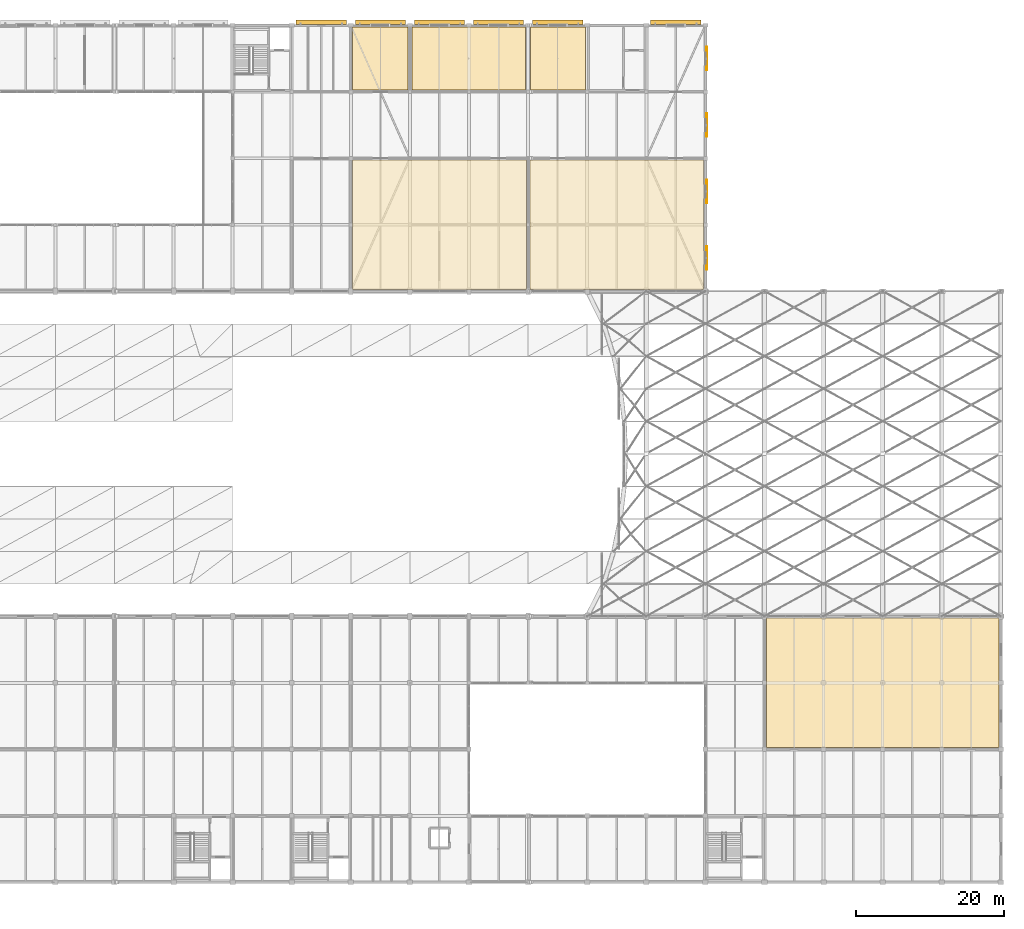
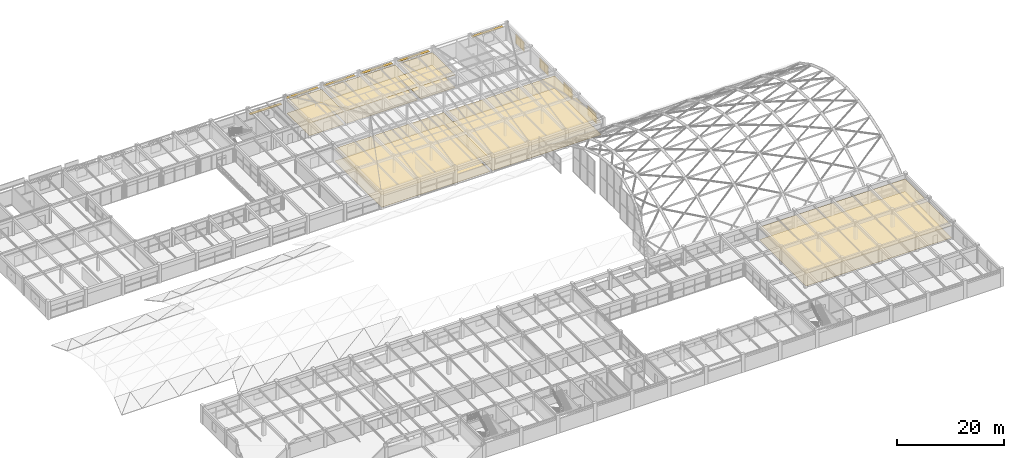
# One storey, part 125 of 126: 12 coverings, 10 shading devices.
"""IFC4 building model written with IfcOpenShell, lengths in metres."""

from ifc_helpers import new_model, si_unit, direction, frame, origin, origin_2d, place, context, subcontext, project, spatial, polyline, rectangle, outline, extrude, material, layer, layer_set, type_object, element, save


model = new_model("IFC4")

# Units and contexts
model_context = context("Model", 3, precision=1e-05, world=origin(), true_north=direction((0.0, 1.0)))
body_context = subcontext(model_context, "Body", "Model", "MODEL_VIEW")
ifc_project = project(units=[si_unit("LENGTHUNIT", "METRE"), si_unit("AREAUNIT", "SQUARE_METRE"), si_unit("VOLUMEUNIT", "CUBIC_METRE"), si_unit("PLANEANGLEUNIT", "RADIAN"), si_unit("MASSUNIT", "GRAM", prefix="KILO")], contexts=[model_context])

# Site, building, storey
site_placement = place(None, origin())
site = spatial("IfcSite", under=ifc_project, at=site_placement, CompositionType="ELEMENT")
building_placement = place(site_placement, origin())
building = spatial("IfcBuilding", under=site, at=building_placement, Name="Varnabhumi Central Station", CompositionType="ELEMENT")
storey_placement = place(building_placement, frame((0.0, 0.0, 16.199951171875)))
storey = spatial("IfcBuildingStorey", under=building, at=storey_placement, Name="L03", CompositionType="ELEMENT", Elevation=16.199951171875)

# Coverings
ifc_material_1 = material(Name="Mineral-fibre acoustic tile")
ifc_layer_1 = layer(ifc_material_1, 0.02490234375, Name="Mineral-fibre acoustic tile")
ifc_layer_set_1 = layer_set([ifc_layer_1], Name="Mineral-fibre acoustic tile")
covering_type_1 = type_object("IfcCoveringType", Name="COV-CEIL-ACOUSTIC", PredefinedType="CEILING", material=ifc_layer_set_1)
covering_1_placement = place(storey_placement, frame((0.0, 0.0, 2.8701171875)))
element("IfcCovering", 1, at=covering_1_placement, inside=storey, type_object=covering_type_1, Name="Travellers' Reading Room and Study Acoustic Ceiling", PredefinedType="CEILING", context=body_context, shape_type="SweptSolid", body=[
    extrude(outline(polyline([(96.25, 80.25), (119.75, 80.25), (119.75, 97.75), (96.25, 97.75), (96.25, 80.25)])), origin(), (0.0, 0.0, 1.0), 0.02490234375),
])
covering_2_placement = place(storey_placement, frame((0.0, 0.0, 2.8701171875)))
element("IfcCovering", 2, at=covering_2_placement, inside=storey, type_object=covering_type_1, Name="Dining Gallery Preparation Pantry Acoustic Ceiling", PredefinedType="CEILING", context=body_context, shape_type="SweptSolid", body=[
    extrude(outline(polyline([(96.25, 107.25), (103.75, 107.25), (103.75, 115.75), (96.25, 115.75), (96.25, 107.25)])), origin(), (0.0, 0.0, 1.0), 0.02490234375),
])
covering_3_placement = place(storey_placement, frame((0.0, 0.0, 2.8701171875)))
element("IfcCovering", 3, at=covering_3_placement, inside=storey, type_object=covering_type_1, Name="Station Commercial Administration Office Acoustic Ceiling", PredefinedType="CEILING", context=body_context, shape_type="SweptSolid", body=[
    extrude(outline(polyline([(104.25, 107.25), (119.64990234375, 107.25), (119.64990234375, 115.75), (104.25, 115.75), (104.25, 107.25)])), origin(), (0.0, 0.0, 1.0), 0.02490234375),
])
covering_4_placement = place(storey_placement, frame((0.0, 0.0, 2.8701171875)))
element("IfcCovering", 4, at=covering_4_placement, inside=storey, type_object=covering_type_1, Name="Station Commercial Administration Office Acoustic Ceiling", PredefinedType="CEILING", context=body_context, shape_type="SweptSolid", body=[
    extrude(outline(polyline([(120.35009765625, 107.25), (127.75, 107.25), (127.75, 115.75), (120.35009765625, 115.75), (120.35009765625, 107.25)])), origin(), (0.0, 0.0, 1.0), 0.02490234375),
])
covering_5_placement = place(storey_placement, frame((0.0, 0.0, 2.8701171875)))
element("IfcCovering", 5, at=covering_5_placement, inside=storey, type_object=covering_type_1, Name="East Terrace Tea Lounge Acoustic Ceiling", PredefinedType="CEILING", context=body_context, shape_type="SweptSolid", body=[
    extrude(outline(polyline([(120.25, 80.25), (143.75, 80.25), (143.75, 97.75), (120.25, 97.75), (120.25, 80.25)])), origin(), (0.0, 0.0, 1.0), 0.02490234375),
])
covering_6_placement = place(storey_placement, frame((0.0, 0.0, 2.8701171875)))
element("IfcCovering", 6, at=covering_6_placement, inside=storey, type_object=covering_type_1, Name="Traction Power Supervisory Control Room Acoustic Ceiling", PredefinedType="CEILING", context=body_context, shape_type="SweptSolid", body=[
    extrude(outline(polyline([(152.25, 18.25), (183.75, 18.25), (183.75, 35.75), (152.25, 35.75), (152.25, 18.25)])), origin(), (0.0, 0.0, 1.0), 0.02490234375),
])
ifc_material_2 = material(Name="Vitrified granite stone flooring", Category="masonry")
ifc_layer_2 = layer(ifc_material_2, 0.030029296875, Name="Vitrified granite stone flooring", Category="masonry")
ifc_layer_set_2 = layer_set([ifc_layer_2], Name="Vitrified granite stone flooring")
covering_type_2 = type_object("IfcCoveringType", Name="COV-FLOR-GRANITE", PredefinedType="FLOORING", material=ifc_layer_set_2)
covering_7_placement = place(storey_placement, origin())
element("IfcCovering", 7, at=covering_7_placement, inside=storey, type_object=covering_type_2, Name="Travellers' Reading Room and Study Granite Flooring", PredefinedType="FLOORING", context=body_context, shape_type="SweptSolid", body=[
    extrude(outline(polyline([(96.25, 80.25), (119.75, 80.25), (119.75, 97.75), (96.25, 97.75), (96.25, 80.25)])), origin(), (0.0, 0.0, 1.0), 0.030029296875),
])
covering_8_placement = place(storey_placement, origin())
element("IfcCovering", 8, at=covering_8_placement, inside=storey, type_object=covering_type_2, Name="Dining Gallery Preparation Pantry Granite Flooring", PredefinedType="FLOORING", context=body_context, shape_type="SweptSolid", body=[
    extrude(outline(polyline([(96.25, 107.25), (103.75, 107.25), (103.75, 115.75), (96.25, 115.75), (96.25, 107.25)])), origin(), (0.0, 0.0, 1.0), 0.030029296875),
])
covering_9_placement = place(storey_placement, origin())
element("IfcCovering", 9, at=covering_9_placement, inside=storey, type_object=covering_type_2, Name="Station Commercial Administration Office Granite Flooring", PredefinedType="FLOORING", context=body_context, shape_type="SweptSolid", body=[
    extrude(outline(polyline([(104.25, 107.25), (119.64990234375, 107.25), (119.64990234375, 115.75), (104.25, 115.75), (104.25, 107.25)])), origin(), (0.0, 0.0, 1.0), 0.030029296875),
])
covering_10_placement = place(storey_placement, origin())
element("IfcCovering", 10, at=covering_10_placement, inside=storey, type_object=covering_type_2, Name="Station Commercial Administration Office Granite Flooring", PredefinedType="FLOORING", context=body_context, shape_type="SweptSolid", body=[
    extrude(outline(polyline([(120.35009765625, 107.25), (127.75, 107.25), (127.75, 115.75), (120.35009765625, 115.75), (120.35009765625, 107.25)])), origin(), (0.0, 0.0, 1.0), 0.030029296875),
])
covering_11_placement = place(storey_placement, origin())
element("IfcCovering", 11, at=covering_11_placement, inside=storey, type_object=covering_type_2, Name="East Terrace Tea Lounge Granite Flooring", PredefinedType="FLOORING", context=body_context, shape_type="SweptSolid", body=[
    extrude(outline(polyline([(120.25, 80.25), (143.75, 80.25), (143.75, 97.75), (120.25, 97.75), (120.25, 80.25)])), origin(), (0.0, 0.0, 1.0), 0.030029296875),
])
covering_12_placement = place(storey_placement, origin())
element("IfcCovering", 12, at=covering_12_placement, inside=storey, type_object=covering_type_2, Name="Traction Power Supervisory Control Room Granite Flooring", PredefinedType="FLOORING", context=body_context, shape_type="SweptSolid", body=[
    extrude(outline(polyline([(152.25, 18.25), (183.75, 18.25), (183.75, 35.75), (152.25, 35.75), (152.25, 18.25)])), origin(), (0.0, 0.0, 1.0), 0.030029296875),
])

# Shading devices
ifc_material_3 = material(Name="Terracotta clay Mission barrel tile", Category="masonry")
ifc_layer_3 = layer(ifc_material_3, 0.080078125, Name="Terracotta clay Mission barrel tile", Category="masonry")
ifc_layer_set_3 = layer_set([ifc_layer_3], Name="Terracotta clay Mission barrel tile")
shading_device_type_1 = type_object("IfcShadingDeviceType", Name="SHD-CELOSIA-JALI", PredefinedType="JALOUSIE", material=ifc_layer_set_3)
for number, where, z_axis, x_axis, name in (
    (13, (144.18994140625, 84.5, 0.85009765625), (0.0, 0.0, 1.0), (1.0, 0.0, 0.0), "Terracotta Celosia Screen N-L03-W1"),
    (14, (144.18994140625, 93.5, 0.85009765625), (0.0, 0.0, 1.0), (1.0, 0.0, 0.0), "Terracotta Celosia Screen N-L03-W2"),
    (15, (144.18994140625, 102.5, 0.85009765625), (0.0, 0.0, 1.0), (1.0, 0.0, 0.0), "Terracotta Celosia Screen N-L03-W3"),
    (16, (144.18994140625, 111.5, 0.85009765625), (0.0, 0.0, 1.0), (1.0, 0.0, 0.0), "Terracotta Celosia Screen N-L03-W4"),
):
    element("IfcShadingDevice", number, at=place(storey_placement, frame(where, z_axis=z_axis, x_axis=x_axis)), inside=storey, type_object=shading_device_type_1, Name=name, PredefinedType="JALOUSIE", context=body_context, shape_type="SweptSolid", body=[
        extrude(rectangle(XDim=0.080078125, YDim=3.199951171875, at=origin_2d()), origin(), (0.0, 0.0, 1.0), 2.199951171875),
    ])
ifc_material_4 = material(Name="Precast concrete M45", Category="concrete")
ifc_layer_4 = layer(ifc_material_4, 0.10009765625, Name="Precast concrete M45", Category="concrete")
ifc_layer_set_4 = layer_set([ifc_layer_4], Name="Precast concrete M45")
shading_device_type_2 = type_object("IfcShadingDeviceType", Name="SHD-CHAJJA-600", PredefinedType="AWNING", material=ifc_layer_set_4)
for number, where, z_axis, x_axis, name in (
    (17, (92.0, 116.429931640625, 2.030029296875), (0.0, 0.0, 1.0), (1.0, 0.0, 0.0), "Chajja Overhang N-L03-9"),
    (18, (100.0, 116.429931640625, 2.919921875), (0.0, 0.0, 1.0), (1.0, 0.0, 0.0), "Chajja Overhang N-L03-10"),
    (19, (108.0, 116.429931640625, 2.919921875), (0.0, 0.0, 1.0), (1.0, 0.0, 0.0), "Chajja Overhang N-L03-11"),
    (20, (116.0, 116.429931640625, 2.919921875), (0.0, 0.0, 1.0), (1.0, 0.0, 0.0), "Chajja Overhang N-L03-12"),
    (21, (124.0, 116.429931640625, 2.919921875), (0.0, 0.0, 1.0), (1.0, 0.0, 0.0), "Chajja Overhang N-L03-13"),
    (22, (140.0, 116.429931640625, 2.919921875), (0.0, 0.0, 1.0), (1.0, 0.0, 0.0), "Chajja Overhang N-L03-15"),
):
    element("IfcShadingDevice", number, at=place(storey_placement, frame(where, z_axis=z_axis, x_axis=x_axis)), inside=storey, type_object=shading_device_type_2, Name=name, PredefinedType="AWNING", context=body_context, shape_type="SweptSolid", body=[
        extrude(rectangle(XDim=6.800048828125, YDim=0.60009765625, at=origin_2d()), origin(), (0.0, 0.0, 1.0), 0.10009765625),
    ])

save(model, "model.ifc")
